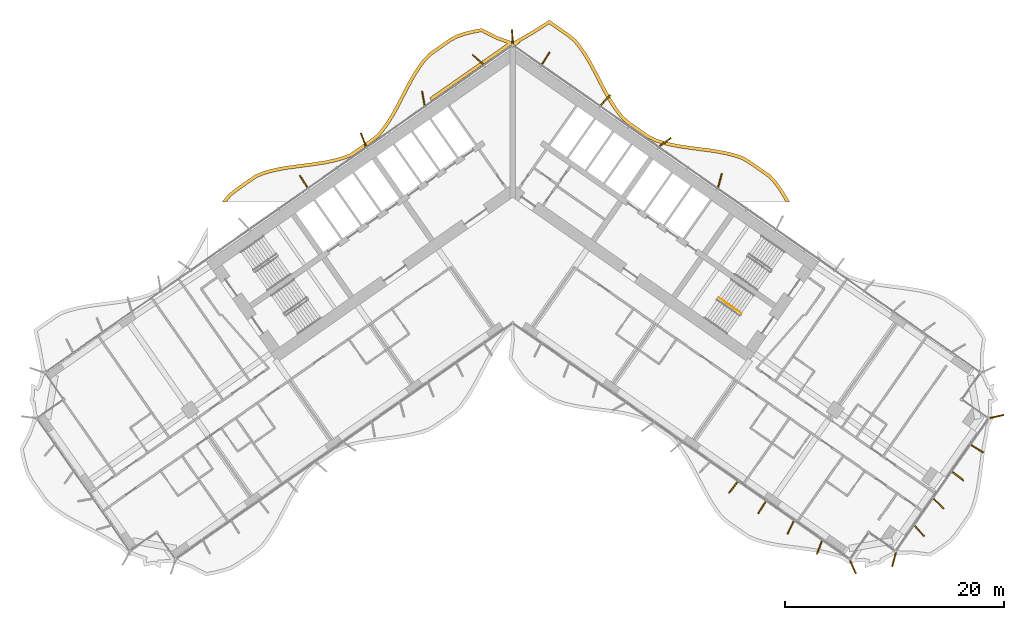
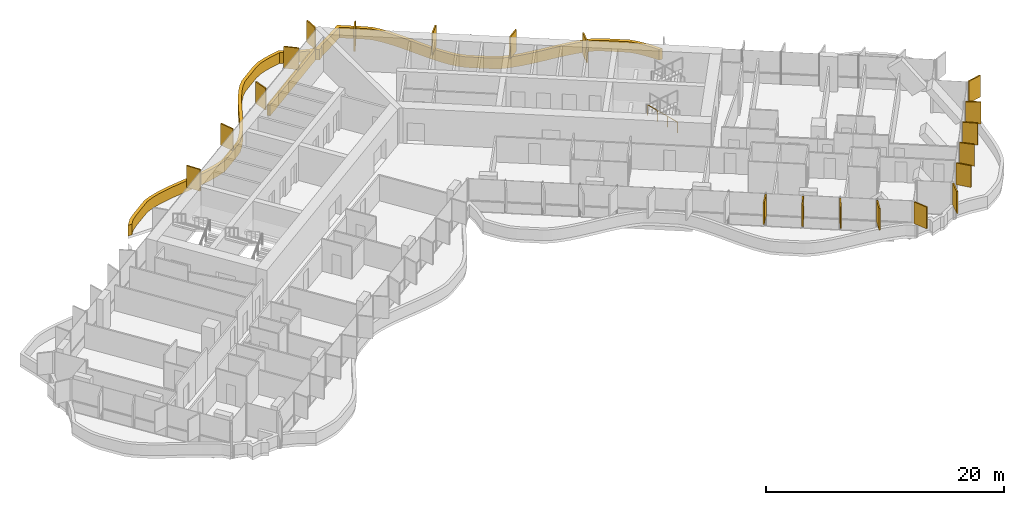
# One storey, part 23 of 24: 21 shading devices, 1 railing.
"""IFC4 building model written with IfcOpenShell, lengths in metres."""

from ifc_helpers import new_model, si_unit, direction, frame, origin, origin_2d, place, context, subcontext, project, spatial, polyline, rectangle, circle, outline, extrude, material, layer, layer_set, type_object, element, save


model = new_model("IFC4")

# Units and contexts
model_context = context("Model", 3, precision=1e-05, world=origin(), true_north=direction((0.0, 1.0)))
body_context = subcontext(model_context, "Body", "Model", "MODEL_VIEW")
ifc_project = project(units=[si_unit("LENGTHUNIT", "METRE"), si_unit("AREAUNIT", "SQUARE_METRE"), si_unit("VOLUMEUNIT", "CUBIC_METRE"), si_unit("PLANEANGLEUNIT", "RADIAN"), si_unit("MASSUNIT", "GRAM", prefix="KILO")], contexts=[model_context])

# Site, building, storey
site_placement = place(None, origin())
site = spatial("IfcSite", under=ifc_project, at=site_placement, CompositionType="ELEMENT")
building_placement = place(site_placement, origin())
building = spatial("IfcBuilding", under=site, at=building_placement, Name="Tel Ilan Convention Tower", CompositionType="ELEMENT")
storey_placement = place(building_placement, frame((0.0, 0.0, 72.5)))
storey = spatial("IfcBuildingStorey", under=building, at=storey_placement, Name="L13", CompositionType="ELEMENT", Elevation=72.5)

# Shading devices
ifc_material_1 = material(Name="Aluminium, bronze anodised", Category="aluminium")
ifc_layer_1 = layer(ifc_material_1, 0.1201171875)
ifc_layer_set_1 = layer_set([ifc_layer_1], Name="FIN BRONZE 1300x120")
shading_device_type_1 = type_object("IfcShadingDeviceType", Name="FIN BRONZE 1300x120", PredefinedType="USERDEFINED", material=ifc_layer_set_1)
for number, where, z_axis, x_axis, name in (
    (1, (18.947509765625, 0.322998046875, 1.10009765625), (0.0, 0.0, 1.0), (0.268172612768, 0.963370878614, 0.0), "FIN"),
    (2, (13.94140625, 3.828369140625, 1.10009765625), (0.0, 0.0, 1.0), (0.813552070258, 0.581492071294, 0.0), "FIN"),
    (3, (8.49169921875, 7.66748046875, 1.10009765625), (0.0, 0.0, 1.0), (0.686241637865, 0.727373641577, 0.0), "FIN"),
    (4, (3.0283203125, 11.4931640625, 1.10009765625), (0.0, 0.0, 1.0), (0.533204432798, 0.845986425922, 0.0), "FIN"),
    (5, (-0.031494140625, 13.4697265625, 1.10009765625), (0.0, 0.0, 1.0), (-0.048462378231, 0.998825008646, 0.0), "FIN"),
    (6, (-3.177978515625, 11.380126953125, 1.10009765625), (0.0, 0.0, 1.0), (-0.753435896329, 0.657521368568, 0.0), "FIN"),
    (7, (-8.16796875, 7.848388671875, 1.10009765625), (0.0, 0.0, 1.0), (-0.173648177667, 0.984807753012, 0.0), "FIN"),
    (8, (-13.6435546875, 4.05224609375, 1.10009765625), (0.0, 0.0, 1.0), (-0.360177724803, 0.932883704733, 0.0), "FIN"),
    (9, (-19.10986328125, 0.232666015625, 1.10009765625), (0.0, 0.0, 1.0), (-0.533204432798, 0.845986425922, 0.0), "FIN"),
    (10, (20.159912109375, -27.729736328125, 1.10009765625), (0.0, 0.0, 1.0), (-0.612600545196, -0.790392669516, 0.0), "FIN"),
    (11, (22.781494140625, -29.5654296875, 1.10009765625), (0.0, 0.0, 1.0), (-0.533204432798, -0.845986425922, 0.0), "FIN"),
    (12, (25.403076171875, -31.400634765625, 1.10009765625), (0.0, 0.0, 1.0), (-0.448799180206, -0.893632640321, 0.0), "FIN"),
    (13, (28.02734375, -33.230224609375, 1.10009765625), (0.0, 0.0, 1.0), (-0.360177724803, -0.932883704733, 0.0), "FIN"),
    (14, (31.10498046875, -35.02001953125, 1.10009765625), (0.0, 0.0, 1.0), (0.404964282034, -0.914332505315, 0.0), "FIN"),
    (15, (34.853515625, -34.32763671875, 1.10009765625), (0.0, 0.0, 1.0), (-0.258819045103, -0.965925826289, 0.0), "FIN"),
    (16, (37.177001953125, -31.715576171875, 1.10009765625), (0.0, 0.0, 1.0), (0.657521368568, -0.753435896329, 0.0), "FIN"),
    (17, (38.9384765625, -29.211181640625, 1.10009765625), (0.0, 0.0, 1.0), (0.727373641577, -0.686241637865, 0.0), "FIN"),
    (18, (40.6953125, -26.702392578125, 1.10009765625), (0.0, 0.0, 1.0), (0.790392669516, -0.612600545196, 0.0), "FIN"),
    (19, (42.4521484375, -24.193359375, 1.10009765625), (0.0, 0.0, 1.0), (0.845986425922, -0.533204432798, 0.0), "FIN"),
    (20, (44.25732421875, -21.243896484375, 1.10009765625), (0.0, 0.0, 1.0), (0.975235208752, 0.221170268371, 0.0), "FIN"),
):
    element("IfcShadingDevice", number, at=place(storey_placement, frame(where, z_axis=z_axis, x_axis=x_axis)), inside=storey, type_object=shading_device_type_1, Name=name, ObjectType="FIN", PredefinedType="USERDEFINED", context=body_context, shape_type="SweptSolid", body=[
        extrude(rectangle(XDim=1.300048828125, YDim=0.1201171875, at=origin_2d()), origin(), (0.0, 0.0, 1.0), 2.219970703125),
    ])
ifc_material_2 = material(Name="Aluminium, bronze anodised", Category="aluminium")
ifc_layer_2 = layer(ifc_material_2, 0.300048828125)
ifc_layer_set_2 = layer_set([ifc_layer_2], Name="LOUVRE BAND 300x1100")
shading_device_type_2 = type_object("IfcShadingDeviceType", Name="LOUVRE BAND 300x1100", PredefinedType="USERDEFINED", material=ifc_layer_set_2)
shading_device_placement = place(storey_placement, origin())
element("IfcShadingDevice", 21, at=shading_device_placement, inside=storey, type_object=shading_device_type_2, Name="LOUVRE BAND 13.02", ObjectType="LOUVRE", PredefinedType="USERDEFINED", context=body_context, shape_type="SweptSolid", body=[
    extrude(outline(polyline([(-26.470947265625, -1.533447265625), (-26.5380859375, -1.631591796875), (-26.164794921875, -1.631591796875), (-25.768798828125, -1.13916015625), (-25.22119140625, -0.691162109375), (-23.4189453125, 0.570556640625), (-22.757568359375, 0.845947265625), (-22.025146484375, 1.0595703125), (-21.250732421875, 1.229248046875), (-20.445556640625, 1.36474609375), (-17.94091796875, 1.697021484375), (-17.10986328125, 1.831298828125), (-16.29736328125, 2.001220703125), (-15.51171875, 2.2197265625), (-14.73974609375, 2.50537109375), (-14.091552734375, 2.951171875), (-12.86083984375, 3.812744140625), (-12.2314453125, 4.287841796875), (-11.706298828125, 4.921142578125), (-11.2373046875, 5.590576171875), (-10.803466796875, 6.300537109375), (-10.395751953125, 7.0380859375), (-9.617919921875, 8.540283203125), (-9.227294921875, 9.275390625), (-8.822509765625, 9.9814453125), (-8.39501953125, 10.64501953125), (-7.941650390625, 11.25048828125), (-7.44140625, 11.75830078125), (-5.638916015625, 13.020263671875), (-5.01953125, 13.36328125), (-4.31494140625, 13.594970703125), (-3.555908203125, 13.7822265625), (-2.858154296875, 13.91259765625), (-1.501220703125, 13.2119140625), (-0.474609375, 12.85205078125), (-7.591552734375, 7.86865234375), (-7.41943359375, 7.623046875), (0.0, 12.818115234375), (0.261474609375, 12.635009765625), (0.71044921875, 12.94921875), (0.5732421875, 12.94921875), (1.861328125, 13.69384765625), (3.339111328125, 14.630615234375), (5.00537109375, 13.4638671875), (5.557861328125, 13.021728515625), (6.019775390625, 12.45166015625), (6.460205078125, 11.81103515625), (6.87451171875, 11.123046875), (7.270751953125, 10.399658203125), (8.04541015625, 8.9013671875), (8.444580078125, 8.155517578125), (8.865234375, 7.431396484375), (9.31689453125, 6.74169921875), (9.814697265625, 6.0908203125), (10.396484375, 5.538330078125), (12.26953125, 4.226806640625), (12.98193359375, 3.861572265625), (13.763427734375, 3.61376953125), (14.564697265625, 3.4228515625), (15.388427734375, 3.27392578125), (16.225341796875, 3.153076171875), (17.89892578125, 2.9375), (18.715087890625, 2.813720703125), (19.504638671875, 2.661376953125), (20.259033203125, 2.468505859375), (20.95556640625, 2.231201171875), (21.563720703125, 1.869873046875), (23.36572265625, 0.60791015625), (23.8505859375, 0.080322265625), (24.302001953125, -0.53466796875), (24.726318359375, -1.204345703125), (24.968505859375, -1.631591796875), (25.313232421875, -1.631591796875), (24.983642578125, -1.0498046875), (24.5498046875, -0.365478515625), (24.082763671875, 0.271240234375), (23.564453125, 0.8349609375), (21.7265625, 2.121826171875), (21.081787109375, 2.505126953125), (20.3447265625, 2.756103515625), (19.5703125, 2.9541015625), (18.76611328125, 3.109375), (17.940673828125, 3.234619140625), (16.265625, 3.450439453125), (15.4365234375, 3.570068359375), (14.626220703125, 3.716796875), (13.843505859375, 3.903076171875), (13.0966796875, 4.14013671875), (12.4248046875, 4.484375), (10.5869140625, 5.771484375), (10.038330078125, 6.2919921875), (9.561767578125, 6.915283203125), (9.12060546875, 7.5888671875), (8.70654296875, 8.3017578125), (8.31103515625, 9.040771484375), (7.535400390625, 10.540771484375), (7.134765625, 11.2724609375), (6.712646484375, 11.9736328125), (6.26025390625, 12.63134765625), (5.7705078125, 13.23583984375), (5.185302734375, 13.7041015625), (3.347412109375, 14.990966796875), (1.7060546875, 13.950439453125), (0.168701171875, 13.059326171875), (0.11474609375, 13.09521484375), (0.0, 13.1181640625), (-0.11474609375, 13.09521484375), (-0.168701171875, 13.059326171875), (-1.382080078125, 13.48828125), (-2.81201171875, 14.226318359375), (-3.619384765625, 14.075439453125), (-4.39794921875, 13.883544921875), (-5.14013671875, 13.639404296875), (-5.798095703125, 13.275146484375), (-7.635986328125, 11.98828125), (-8.169677734375, 11.446533203125), (-8.641357421875, 10.81640625), (-9.078857421875, 10.13720703125), (-9.489990234375, 9.42041015625), (-9.8837890625, 8.67919921875), (-10.66015625, 7.179931640625), (-11.06298828125, 6.451416015625), (-11.488525390625, 5.755126953125), (-11.945068359375, 5.103271484375), (-12.43994140625, 4.506103515625), (-13.037353515625, 4.055419921875), (-14.87890625, 2.773681640625), (-15.60400390625, 2.50537109375), (-16.3681640625, 2.29296875), (-17.16455078125, 2.12646484375), (-17.98486328125, 1.993896484375), (-20.490966796875, 1.661376953125), (-21.307861328125, 1.52392578125), (-22.099365234375, 1.350341796875), (-22.857421875, 1.129150390625), (-23.564453125, 0.8349609375), (-25.40234375, -0.451904296875), (-25.98291015625, -0.9267578125), (-26.470947265625, -1.533447265625)])), origin(), (0.0, 0.0, 1.0), 1.10009765625),
])

# Railing
ifc_material_3 = material(Name="Stainless Steel Grade 316", Category="steel")
railing_type = type_object("IfcRailingType", Name="Stainless Steel Stair Guard 1100 mm", PredefinedType="GUARDRAIL", material=ifc_material_3)
railing_placement = place(storey_placement, frame((20.89697265625, -11.824462890625, 0.179931640625)))
element("IfcRailing", 22, at=railing_placement, inside=storey, type_object=railing_type, Name="L13 S4 stair guard 1", PredefinedType="GUARDRAIL", context=body_context, shape_type="SweptSolid", body=[
    extrude(circle(Radius=0.02392578125, at=origin_2d()), frame((0.0, 0.0, 1.076171875), z_axis=(-0.689013013563, 0.482512838948, 0.540779462804), x_axis=(-0.573624882958, -0.819118119475, 0.0)), (0.0, 0.0, 1.0), 2.995849609375),
    extrude(circle(Radius=0.02099609375, at=origin_2d()), origin(), (0.0, 0.0, 1.0), 1.052001953125),
    extrude(circle(Radius=0.02099609375, at=origin_2d()), frame((-0.68798828125, 0.48193359375, 0.5400390625)), (0.0, 0.0, 1.0), 1.052001953125),
    extrude(circle(Radius=0.02099609375, at=origin_2d()), frame((-1.376220703125, 0.963623046875, 1.080078125)), (0.0, 0.0, 1.0), 1.052001953125),
    extrude(circle(Radius=0.02099609375, at=origin_2d()), frame((-2.064208984375, 1.445556640625, 1.6201171875)), (0.0, 0.0, 1.0), 1.052001953125),
])

save(model, "model.ifc")
